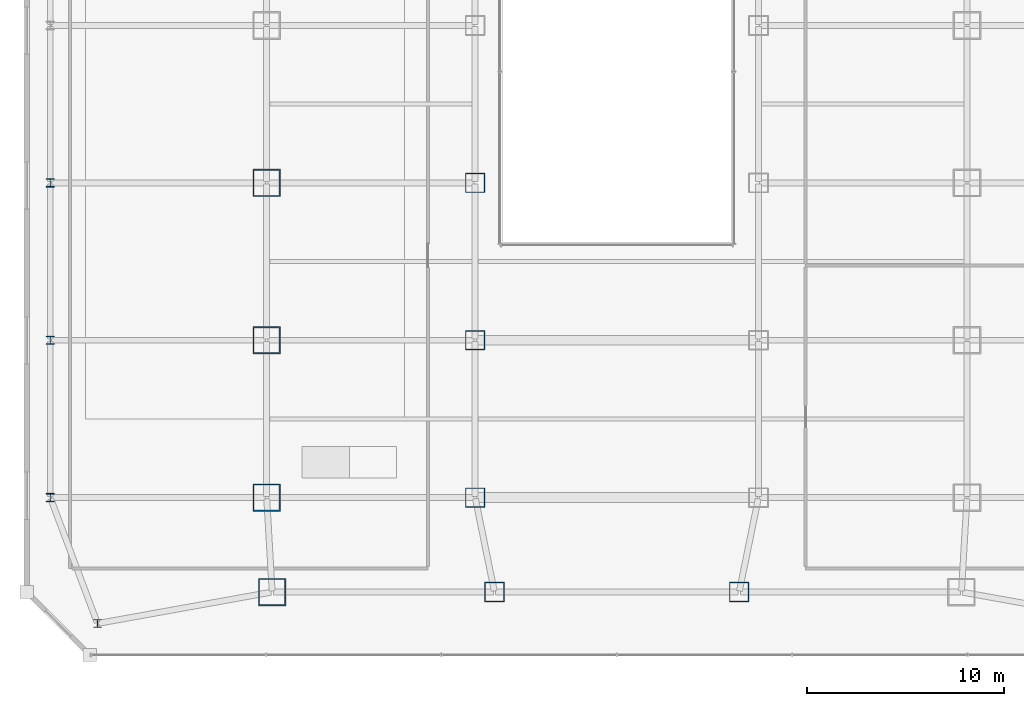
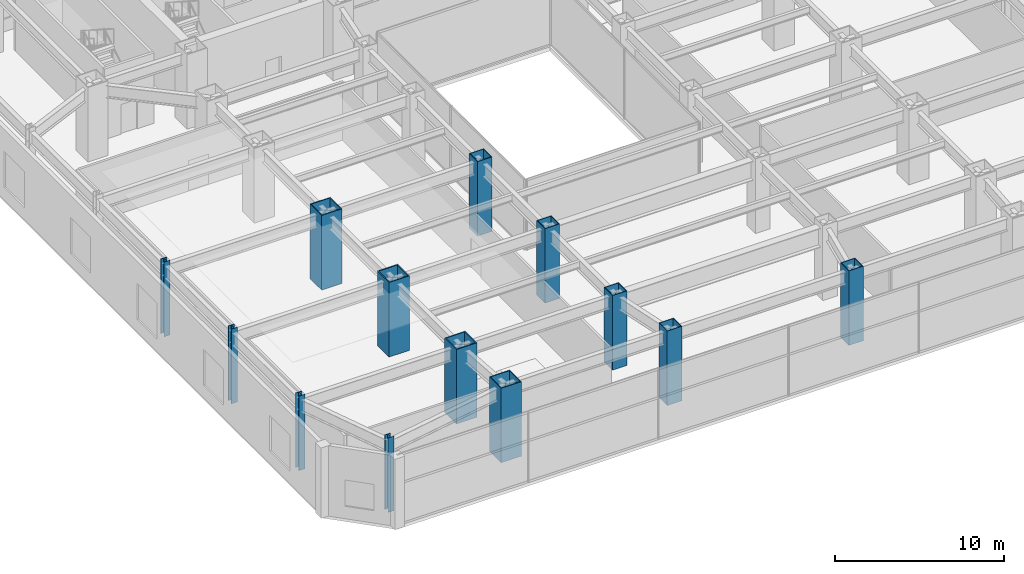
# One storey, part 1 of 52: 13 columns.
"""IFC4 building model written with IfcOpenShell, lengths in metres."""

from ifc_helpers import new_model, si_unit, direction, frame, origin, origin_2d, place, context, subcontext, project, spatial, hollow_rectangle, i_section, extrude, material, material_profile, profile_set, type_object, element, save


model = new_model("IFC4")

# Units and contexts
model_context = context("Model", 3, precision=1e-05, world=origin(), true_north=direction((0.0, 1.0)))
body_context = subcontext(model_context, "Body", "Model", "MODEL_VIEW")
ifc_project = project(units=[si_unit("LENGTHUNIT", "METRE"), si_unit("AREAUNIT", "SQUARE_METRE"), si_unit("VOLUMEUNIT", "CUBIC_METRE"), si_unit("PLANEANGLEUNIT", "RADIAN"), si_unit("MASSUNIT", "GRAM", prefix="KILO")], contexts=[model_context])

# Site, building, storey
site_placement = place(None, origin())
site = spatial("IfcSite", under=ifc_project, at=site_placement, CompositionType="ELEMENT")
building_placement = place(site_placement, origin())
building = spatial("IfcBuilding", under=site, at=building_placement, Name="Saevonmaru Cultural Tower", CompositionType="ELEMENT")
storey_placement = place(building_placement, frame((0.0, 0.0, 11.39990234375)))
storey = spatial("IfcBuildingStorey", under=building, at=storey_placement, Name="L02", CompositionType="ELEMENT", Elevation=11.39990234375)

# Columns
ifc_material_1 = material(Name="Steel SM420", Category="steel")
ifc_material_profile_1 = material_profile(ifc_material_1, hollow_rectangle(XDim=1.0, YDim=1.0, WallThickness=0.044921875, at=origin_2d()), Name="BOX-1000x1000x45")
ifc_profile_set_1 = profile_set([ifc_material_profile_1], Name="Steel SM420")
column_type_1 = type_object("IfcColumnType", Name="COL-BOX-1000", PredefinedType="COLUMN", material=ifc_profile_set_1)
for number, where, z_axis, x_axis, name in (
    (1, (23.780029296875, 3.199951171875, 0.0), (0.0, 0.0, 1.0), (1.0, 0.0, 0.0), "L02 Column PC-W2-A"),
    (2, (36.219970703125, 3.199951171875, 0.0), (0.0, 0.0, 1.0), (1.0, 0.0, 0.0), "L02 Column PC-E2-A"),
    (3, (22.800048828125, 8.0, 0.0), (0.0, 0.0, 1.0), (1.0, 0.0, 0.0), "L02 Column PC-W2-B"),
    (4, (22.800048828125, 16.0, 0.0), (0.0, 0.0, 1.0), (1.0, 0.0, 0.0), "L02 Column PC-W2-C"),
    (5, (22.800048828125, 24.0, 0.0), (0.0, 0.0, 1.0), (1.0, 0.0, 0.0), "L02 Column PC-W2-D"),
):
    element("IfcColumn", number, at=place(storey_placement, frame(where, z_axis=z_axis, x_axis=x_axis)), inside=storey, type_object=column_type_1, Name=name, PredefinedType="COLUMN", context=body_context, shape_type="SweptSolid", body=[
        extrude(hollow_rectangle(XDim=1.0, YDim=1.0, WallThickness=0.044921875, at=origin_2d()), origin(), (0.0, 0.0, 1.0), 5.400146484375),
    ])
ifc_material_2 = material(Name="Steel HSA600 (600 MPa)", Category="steel")
ifc_material_profile_2 = material_profile(ifc_material_2, hollow_rectangle(XDim=1.39990234375, YDim=1.39990234375, WallThickness=0.06494140625, at=origin_2d()), Name="BOX-1400x1400x65")
ifc_profile_set_2 = profile_set([ifc_material_profile_2], Name="Steel HSA600 (600 MPa)")
column_type_2 = type_object("IfcColumnType", Name="COL-BOX-1400", PredefinedType="COLUMN", material=ifc_profile_set_2)
for number, where, z_axis, x_axis, name in (
    (6, (12.47998046875, 3.199951171875, 0.0), (0.0, 0.0, 1.0), (1.0, 0.0, 0.0), "L02 Column PC-W1-A"),
    (7, (12.199951171875, 8.0, 0.0), (0.0, 0.0, 1.0), (1.0, 0.0, 0.0), "L02 Column PC-W1-B"),
    (8, (12.199951171875, 16.0, 0.0), (0.0, 0.0, 1.0), (1.0, 0.0, 0.0), "L02 Column PC-W1-C"),
    (9, (12.199951171875, 24.0, 0.0), (0.0, 0.0, 1.0), (1.0, 0.0, 0.0), "L02 Column PC-W1-D"),
):
    element("IfcColumn", number, at=place(storey_placement, frame(where, z_axis=z_axis, x_axis=x_axis)), inside=storey, type_object=column_type_2, Name=name, PredefinedType="COLUMN", context=body_context, shape_type="SweptSolid", body=[
        extrude(hollow_rectangle(XDim=1.39990234375, YDim=1.39990234375, WallThickness=0.06494140625, at=origin_2d()), origin(), (0.0, 0.0, 1.0), 5.400146484375),
    ])
ifc_material_3 = material(Name="Steel SM355", Category="steel")
ifc_material_profile_3 = material_profile(ifc_material_3, i_section(OverallWidth=0.39990234375, OverallDepth=0.39990234375, WebThickness=0.012939453125, FlangeThickness=0.02099609375, FilletRadius=0.02197265625, at=origin_2d()), Name="H-400x400x13x21")
ifc_profile_set_3 = profile_set([ifc_material_profile_3], Name="Steel SM355")
column_type_3 = type_object("IfcColumnType", Name="COL-H-400", PredefinedType="COLUMN", material=ifc_profile_set_3)
column_placement = place(storey_placement, frame((3.60009765625, 1.60009765625, 0.0), z_axis=(0.0, 0.0, 1.0), x_axis=(1.0, 0.0, 0.0)))
element("IfcColumn", 10, at=column_placement, inside=storey, type_object=column_type_3, Name="L02 Column PC-PS-SW", PredefinedType="COLUMN", context=body_context, shape_type="SweptSolid", body=[
    extrude(i_section(OverallWidth=0.39990234375, OverallDepth=0.39990234375, WebThickness=0.012939453125, FlangeThickness=0.02099609375, FilletRadius=0.02197265625, at=origin_2d()), origin(), (0.0, 0.0, 1.0), 5.400146484375),
])
ifc_material_profile_4 = material_profile(ifc_material_1, i_section(OverallWidth=0.419921875, OverallDepth=0.419921875, WebThickness=0.02001953125, FlangeThickness=0.034912109375, FilletRadius=0.02197265625, at=origin_2d()), Name="H-428x407x20x35")
ifc_profile_set_4 = profile_set([ifc_material_profile_4], Name="Steel SM420")
column_type_4 = type_object("IfcColumnType", Name="COL-H-428", PredefinedType="COLUMN", material=ifc_profile_set_4)
for number, where, z_axis, x_axis, name in (
    (11, (1.199951171875, 8.0, 0.0), (0.0, 0.0, 1.0), (1.0, 0.0, 0.0), "L02 Column PC-PW-B"),
    (12, (1.199951171875, 16.0, 0.0), (0.0, 0.0, 1.0), (1.0, 0.0, 0.0), "L02 Column PC-PW-C"),
    (13, (1.199951171875, 24.0, 0.0), (0.0, 0.0, 1.0), (1.0, 0.0, 0.0), "L02 Column PC-PW-D"),
):
    element("IfcColumn", number, at=place(storey_placement, frame(where, z_axis=z_axis, x_axis=x_axis)), inside=storey, type_object=column_type_4, Name=name, PredefinedType="COLUMN", context=body_context, shape_type="SweptSolid", body=[
        extrude(i_section(OverallWidth=0.419921875, OverallDepth=0.419921875, WebThickness=0.02001953125, FlangeThickness=0.034912109375, FilletRadius=0.02197265625, at=origin_2d()), origin(), (0.0, 0.0, 1.0), 5.400146484375),
    ])

save(model, "model.ifc")
